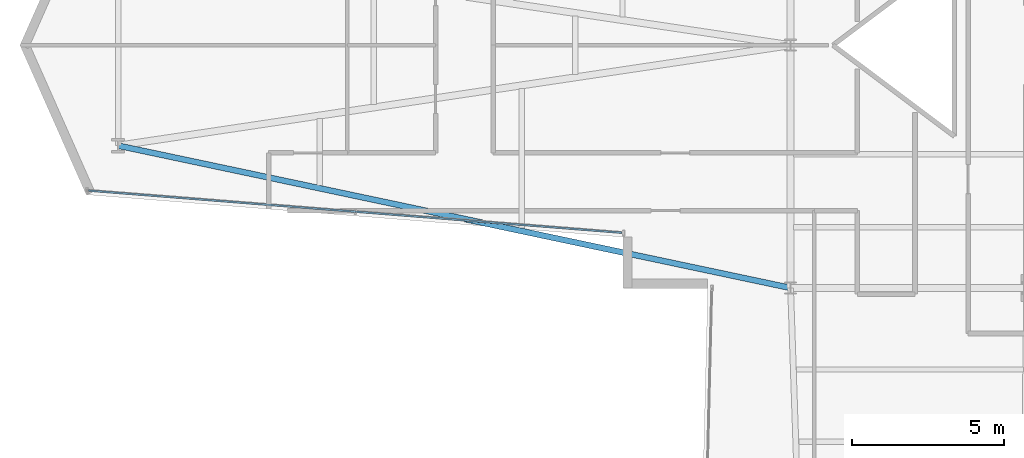
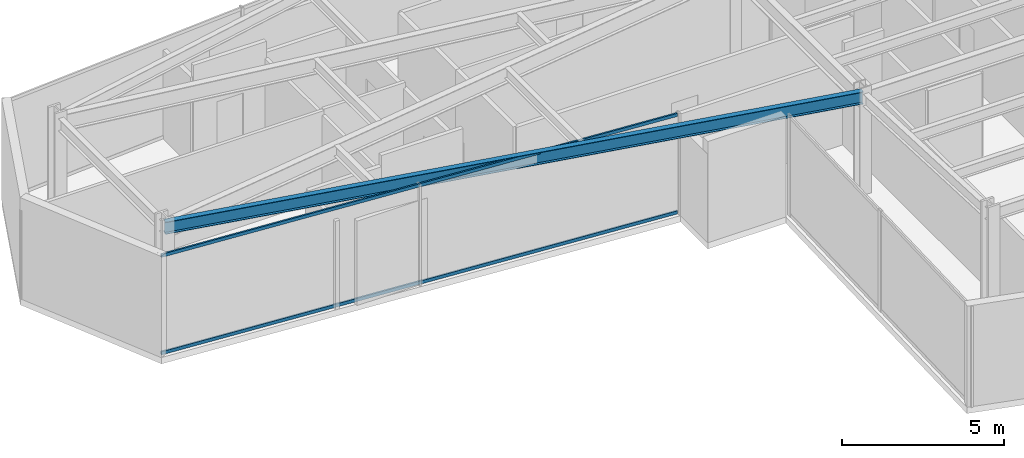
# One storey, part 3 of 24: 2 members, 1 beam, 1 element without a shape of its own.
"""IFC4 building model written with IfcOpenShell, lengths in metres."""

from ifc_helpers import new_model, si_unit, direction, frame, origin, origin_2d, place, context, subcontext, project, spatial, hollow_rectangle, i_section, extrude, material, layer, layer_set, material_profile, profile_set, type_object, element, aggregate, save


model = new_model("IFC4")

# Units and contexts
model_context = context("Model", 3, precision=1e-05, world=origin(), true_north=direction((0.0, 1.0)))
body_context = subcontext(model_context, "Body", "Model", "MODEL_VIEW")
ifc_project = project(units=[si_unit("LENGTHUNIT", "METRE"), si_unit("AREAUNIT", "SQUARE_METRE"), si_unit("VOLUMEUNIT", "CUBIC_METRE"), si_unit("PLANEANGLEUNIT", "RADIAN"), si_unit("MASSUNIT", "GRAM", prefix="KILO")], contexts=[model_context])

# Site, building, storey
site_placement = place(None, origin())
site = spatial("IfcSite", under=ifc_project, at=site_placement, CompositionType="ELEMENT")
building_placement = place(site_placement, origin())
building = spatial("IfcBuilding", under=site, at=building_placement, Name="Veymaron Broadcast Tower", CompositionType="ELEMENT")
storey_placement = place(building_placement, frame((0.0, 0.0, 78.300048828125)))
storey = spatial("IfcBuildingStorey", under=building, at=storey_placement, Name="L17", CompositionType="ELEMENT", Elevation=78.300048828125)

# Beam
ifc_material_1 = material(Name="Structural steel ASTM A992 Gr 50", Category="steel")
ifc_material_profile_1 = material_profile(ifc_material_1, i_section(OverallWidth=0.19091796875, OverallDepth=0.4599609375, WebThickness=0.010009765625, FlangeThickness=0.01611328125, at=origin_2d()), Name="W460X82")
ifc_profile_set_1 = profile_set([ifc_material_profile_1], Name="Structural steel ASTM A992 Gr 50")
beam_type = type_object("IfcBeamType", Name="BM-SP1", PredefinedType="SPANDREL", material=ifc_profile_set_1)
beam_placement = place(storey_placement, frame((9.0419921875, 20.68994140625, 3.579833984375), z_axis=(0.978325730087, -0.207071885708, 0.0), x_axis=(0.207071885708, 0.978325730087, 0.0)))
element("IfcBeam", 1, at=beam_placement, inside=storey, type_object=beam_type, Name="L17 primary structural floor girder", PredefinedType="SPANDREL", context=body_context, shape_type="SweptSolid", body=[
    extrude(i_section(OverallWidth=0.19091796875, OverallDepth=0.4599609375, WebThickness=0.010009765625, FlangeThickness=0.01611328125, at=origin_2d()), origin(), (0.0, 0.0, 1.0), 22.64892578125),
])

# Curtain wall, members
ifc_material_2 = material(Name="Anodised aluminium AA 6063-T6 and laminated low-E dark glass", Category="aluminium")
ifc_layer = layer(ifc_material_2, 0.179931640625)
ifc_layer_set = layer_set([ifc_layer], Name="Anodised aluminium AA 6063-T6 and laminated low-E dark glass")
curtain_wall_type = type_object("IfcCurtainWallType", Name="CW-SYS-02", PredefinedType="NOTDEFINED", material=ifc_layer_set)
curtain_wall_placement = place(storey_placement, origin())
curtain_wall = element("IfcCurtainWall", 2, at=curtain_wall_placement, inside=storey, type_object=curtain_wall_type, Name="L17 dark-glass curtain wall CW-L17-E14-1", PredefinedType="NOTDEFINED")
ifc_material_3 = material(Name="Anodised aluminium AA 6063-T6", Category="aluminium")
ifc_material_profile_2 = material_profile(ifc_material_3, hollow_rectangle(XDim=0.06005859375, YDim=0.1201171875, WallThickness=0.00390625, at=origin_2d()), Name="AL120X60X4")
ifc_profile_set_2 = profile_set([ifc_material_profile_2], Name="Anodised aluminium AA 6063-T6")
member_type = type_object("IfcMemberType", Name="CW-TRN-02", PredefinedType="USERDEFINED", material=ifc_profile_set_2)
member_1_placement = place(storey_placement, frame((8.060791015625, 19.208740234375, 0.070068359375), z_axis=(0.996892203144, -0.078777758981, 0.0), x_axis=(0.078777758981, 0.996892203144, 0.0)))
member_1 = element("IfcMember", 3, at=member_1_placement, type_object=member_type, Name="CW-L17-E14-1 transom B", ObjectType="TRANSOM", PredefinedType="USERDEFINED", context=body_context, shape_type="SweptSolid", body=[
    extrude(hollow_rectangle(XDim=0.06005859375, YDim=0.1201171875, WallThickness=0.00390625, at=origin_2d()), origin(), (0.0, 0.0, 1.0), 17.643310546875),
])
member_2_placement = place(storey_placement, frame((8.060791015625, 19.208740234375, 3.739990234375), z_axis=(0.996892203144, -0.078777758981, 0.0), x_axis=(0.078777758981, 0.996892203144, 0.0)))
member_2 = element("IfcMember", 4, at=member_2_placement, type_object=member_type, Name="CW-L17-E14-1 transom T", ObjectType="TRANSOM", PredefinedType="USERDEFINED", context=body_context, shape_type="SweptSolid", body=[
    extrude(hollow_rectangle(XDim=0.06005859375, YDim=0.1201171875, WallThickness=0.00390625, at=origin_2d()), origin(), (0.0, 0.0, 1.0), 17.643310546875),
])
aggregate(curtain_wall, [member_1, member_2])

save(model, "model.ifc")
